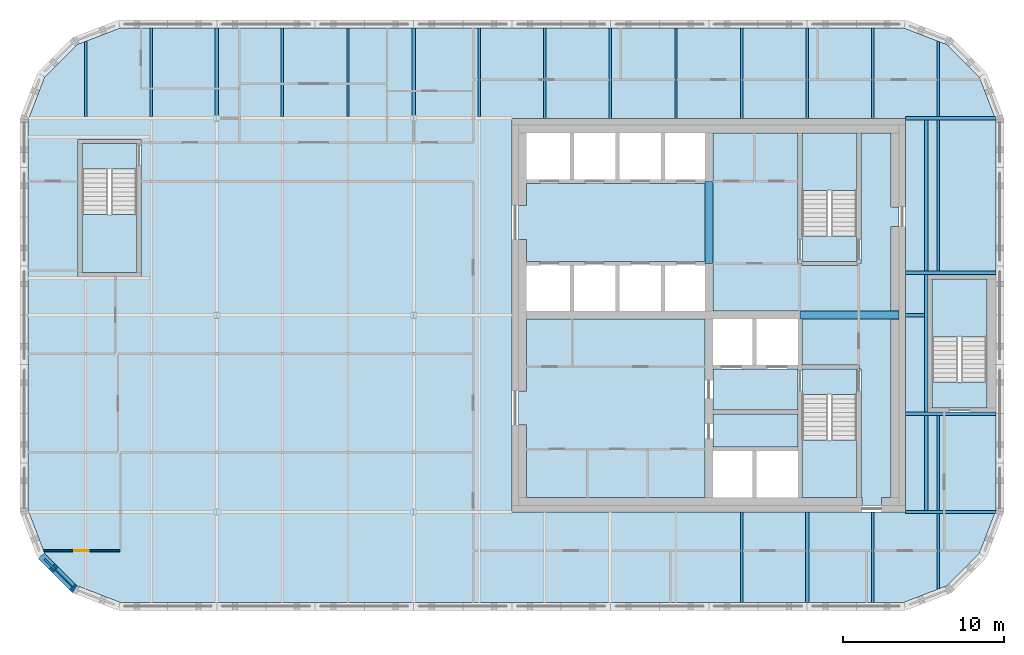
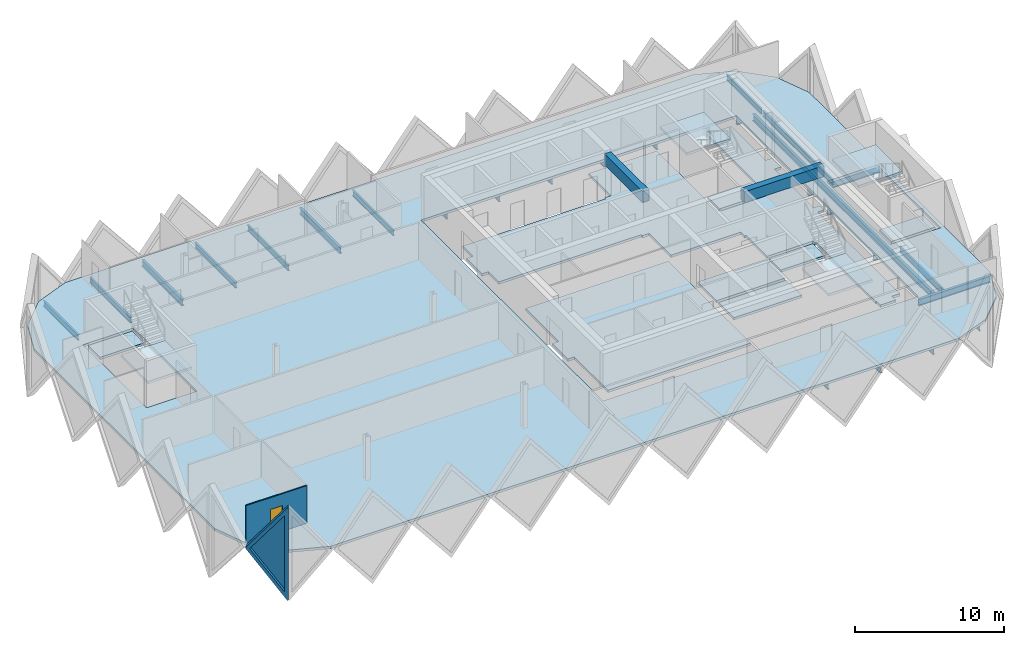
# One storey, part 2 of 11: 28 beams, 13 slabs, 2 walls, 1 door, 1 plate, 2 openings, 4 elements without a shape of their own.
"""IFC4 building model written with IfcOpenShell, lengths in metres."""

from ifc_helpers import new_model, si_unit, direction, frame, frame_2d, origin, origin_2d, place, context, subcontext, project, spatial, polyline, rectangle, i_section, outline, extrude, faceted_brep, source, transform, mapped, material, layer, layer_set, material_profile, profile_set, type_object, element, fill, aggregate, save


model = new_model("IFC4")

# Units and contexts
model_context = context("Model", 3, precision=1e-05, world=origin(), true_north=direction((0.0, 1.0)))
body_context = subcontext(model_context, "Body", "Model", "MODEL_VIEW")
ifc_project = project(units=[si_unit("LENGTHUNIT", "METRE"), si_unit("AREAUNIT", "SQUARE_METRE"), si_unit("VOLUMEUNIT", "CUBIC_METRE"), si_unit("PLANEANGLEUNIT", "RADIAN"), si_unit("MASSUNIT", "GRAM", prefix="KILO")], contexts=[model_context])

# Site, building, storey
site_placement = place(None, origin())
site = spatial("IfcSite", under=ifc_project, at=site_placement, CompositionType="ELEMENT")
building_placement = place(site_placement, origin())
building = spatial("IfcBuilding", under=site, at=building_placement, Name="Tessera Gate Towers", CompositionType="ELEMENT")
storey_placement = place(building_placement, frame((0.0, 0.0, 240.699951171875)))
storey = spatial("IfcBuildingStorey", under=building, at=storey_placement, Name="L60", CompositionType="ELEMENT", Elevation=240.699951171875)

# Beams
ifc_material_1 = material(Name="Concrete C40/50", Category="concrete")
ifc_material_profile_1 = material_profile(ifc_material_1, rectangle(XDim=0.5, YDim=0.89990234375, at=origin_2d()), Name="RC 500x900")
ifc_profile_set_1 = profile_set([ifc_material_profile_1], Name="Concrete C40/50")
beam_type_1 = type_object("IfcBeamType", Name="COUPLING BEAM 500x900 C40/50", PredefinedType="BEAM", material=ifc_profile_set_1)
beam_1_placement = place(storey_placement, frame((48.35009765625, 36.60009765625, 3.150146484375), z_axis=(1.0, 0.0, 0.0), x_axis=(0.0, 1.0, 0.0)))
element("IfcBeam", 1, at=beam_1_placement, inside=storey, type_object=beam_type_1, Name="L60 coupling beam 1", PredefinedType="BEAM", context=body_context, shape_type="SweptSolid", body=[
    extrude(rectangle(XDim=0.5, YDim=0.89990234375, at=origin_2d()), origin(), (0.0, 0.0, 1.0), 6.14990234375),
])
beam_2_placement = place(storey_placement, frame((42.699951171875, 39.800048828125, 3.150146484375), z_axis=(0.0, 1.0, 0.0), x_axis=(-1.0, 0.0, 0.0)))
element("IfcBeam", 2, at=beam_2_placement, inside=storey, type_object=beam_type_1, Name="L60 coupling beam 2", PredefinedType="BEAM", context=body_context, shape_type="SweptSolid", body=[
    extrude(rectangle(XDim=0.5, YDim=0.89990234375, at=origin_2d()), origin(), (0.0, 0.0, 1.0), 5.099853515625),
])
ifc_material_2 = material(Name="Steel 350W", Category="steel")
ifc_material_profile_2 = material_profile(ifc_material_2, i_section(OverallWidth=0.208984375, OverallDepth=0.532958984375, WebThickness=0.01025390625, FlangeThickness=0.015625, at=origin_2d()), Name="W530x92")
ifc_profile_set_2 = profile_set([ifc_material_profile_2], Name="Steel 350W")
beam_type_2 = type_object("IfcBeamType", Name="FLOOR GIRDER W530x92", PredefinedType="BEAM", material=ifc_profile_set_2)
beam_3_placement = place(storey_placement, frame((54.90087890625, 24.39990234375, -0.466552734375), z_axis=(1.0, 0.0, 0.0), x_axis=(0.0, 1.0, 0.0)))
element("IfcBeam", 3, at=beam_3_placement, inside=storey, type_object=beam_type_2, Name="T1-GD-L60-6006", PredefinedType="BEAM", context=body_context, shape_type="SweptSolid", body=[
    extrude(i_section(OverallWidth=0.208984375, OverallDepth=0.532958984375, WebThickness=0.01025390625, FlangeThickness=0.015625, at=origin_2d()), origin(), (0.0, 0.0, 1.0), 5.564208984375),
])
beam_4_placement = place(storey_placement, frame((54.89892578125, 36.60009765625, -0.466552734375), z_axis=(1.0, 0.0, 0.0), x_axis=(0.0, 1.0, 0.0)))
element("IfcBeam", 4, at=beam_4_placement, inside=storey, type_object=beam_type_2, Name="T1-GD-L60-6010", PredefinedType="BEAM", context=body_context, shape_type="SweptSolid", body=[
    extrude(i_section(OverallWidth=0.208984375, OverallDepth=0.532958984375, WebThickness=0.01025390625, FlangeThickness=0.015625, at=origin_2d()), origin(), (0.0, 0.0, 1.0), 1.176513671875),
])
beam_5_placement = place(storey_placement, frame((54.90087890625, 48.800048828125, -0.466552734375), z_axis=(1.0, 0.0, 0.0), x_axis=(0.0, 1.0, 0.0)))
element("IfcBeam", 5, at=beam_5_placement, inside=storey, type_object=beam_type_2, Name="T1-GD-L60-6014", PredefinedType="BEAM", context=body_context, shape_type="SweptSolid", body=[
    extrude(i_section(OverallWidth=0.208984375, OverallDepth=0.532958984375, WebThickness=0.01025390625, FlangeThickness=0.015625, at=origin_2d()), origin(), (0.0, 0.0, 1.0), 5.564208984375),
])
for number, where, z_axis, x_axis, name in (
    (6, (12.199951171875, 48.986572265625, -0.466552734375), (0.0, 1.0, 0.0), (-1.0, 0.0, 0.0), "T1-GD-L60-6018"),
    (7, (24.39990234375, 48.986572265625, -0.466552734375), (0.0, 1.0, 0.0), (-1.0, 0.0, 0.0), "T1-GD-L60-6022"),
):
    element("IfcBeam", number, at=place(storey_placement, frame(where, z_axis=z_axis, x_axis=x_axis)), inside=storey, type_object=beam_type_2, Name=name, PredefinedType="BEAM", context=body_context, shape_type="SweptSolid", body=[
        extrude(i_section(OverallWidth=0.208984375, OverallDepth=0.532958984375, WebThickness=0.01025390625, FlangeThickness=0.015625, at=origin_2d()), origin(), (0.0, 0.0, 1.0), 5.414306640625),
    ])
beam_6_placement = place(storey_placement, frame((48.800048828125, 18.799072265625, -0.466552734375), z_axis=(0.0, 1.0, 0.0), x_axis=(-1.0, 0.0, 0.0)))
element("IfcBeam", 8, at=beam_6_placement, inside=storey, type_object=beam_type_2, Name="T1-GD-L60-6024", PredefinedType="BEAM", context=body_context, shape_type="SweptSolid", body=[
    extrude(i_section(OverallWidth=0.208984375, OverallDepth=0.532958984375, WebThickness=0.01025390625, FlangeThickness=0.015625, at=origin_2d()), origin(), (0.0, 0.0, 1.0), 5.600830078125),
])
for number, where, z_axis, x_axis, name in (
    (9, (54.89892578125, 30.47998046875, -0.466552734375), (1.0, 0.0, 0.0), (0.0, 1.0, 0.0), "T1-GD-L60-6027"),
    (10, (54.89892578125, 39.219970703125, -0.466552734375), (1.0, 0.0, 0.0), (0.0, 1.0, 0.0), "T1-GD-L60-6028"),
):
    element("IfcBeam", number, at=place(storey_placement, frame(where, z_axis=z_axis, x_axis=x_axis)), inside=storey, type_object=beam_type_2, Name=name, PredefinedType="BEAM", context=body_context, shape_type="SweptSolid", body=[
        extrude(i_section(OverallWidth=0.208984375, OverallDepth=0.532958984375, WebThickness=0.01025390625, FlangeThickness=0.015625, at=origin_2d()), origin(), (0.0, 0.0, 1.0), 5.60205078125),
    ])
beam_7_placement = place(storey_placement, frame((56.179931640625, 24.50439453125, -0.466552734375), z_axis=(0.0, 1.0, 0.0), x_axis=(-1.0, 0.0, 0.0)))
element("IfcBeam", 11, at=beam_7_placement, inside=storey, type_object=beam_type_2, Name="T1-GD-L60-6029", PredefinedType="BEAM", context=body_context, shape_type="SweptSolid", body=[
    extrude(i_section(OverallWidth=0.208984375, OverallDepth=0.532958984375, WebThickness=0.01025390625, FlangeThickness=0.015625, at=origin_2d()), origin(), (0.0, 0.0, 1.0), 24.191162109375),
])
ifc_material_3 = material(Name="Steel 350W", Category="steel")
ifc_material_profile_3 = material_profile(ifc_material_3, i_section(OverallWidth=0.153076171875, OverallDepth=0.455078125, WebThickness=0.008056640625, FlangeThickness=0.01318359375, at=origin_2d()), Name="W460x60")
ifc_profile_set_3 = profile_set([ifc_material_profile_3], Name="Steel 350W")
beam_type_3 = type_object("IfcBeamType", Name="FLOOR SECONDARY W460x60", PredefinedType="BEAM", material=ifc_profile_set_3)
beam_8_placement = place(storey_placement, frame((4.066650390625, 48.904541015625, -0.427490234375), z_axis=(0.0, 1.0, 0.0), x_axis=(-1.0, 0.0, 0.0)))
element("IfcBeam", 12, at=beam_8_placement, inside=storey, type_object=beam_type_3, Name="T1-BM-L60-6033", PredefinedType="BEAM", context=body_context, shape_type="SweptSolid", body=[
    extrude(i_section(OverallWidth=0.153076171875, OverallDepth=0.455078125, WebThickness=0.008056640625, FlangeThickness=0.01318359375, at=origin_2d()), origin(), (0.0, 0.0, 1.0), 4.675048828125),
])
for number, where, z_axis, x_axis, name in (
    (13, (8.13330078125, 48.904541015625, -0.427490234375), (0.0, 1.0, 0.0), (-1.0, 0.0, 0.0), "T1-BM-L60-6037"),
    (14, (16.2666015625, 48.904541015625, -0.427490234375), (0.0, 1.0, 0.0), (-1.0, 0.0, 0.0), "T1-BM-L60-6041"),
    (15, (20.333251953125, 48.904541015625, -0.427490234375), (0.0, 1.0, 0.0), (-1.0, 0.0, 0.0), "T1-BM-L60-6045"),
    (16, (28.466796875, 48.904541015625, -0.427490234375), (0.0, 1.0, 0.0), (-1.0, 0.0, 0.0), "T1-BM-L60-6049"),
):
    element("IfcBeam", number, at=place(storey_placement, frame(where, z_axis=z_axis, x_axis=x_axis)), inside=storey, type_object=beam_type_3, Name=name, PredefinedType="BEAM", context=body_context, shape_type="SweptSolid", body=[
        extrude(i_section(OverallWidth=0.153076171875, OverallDepth=0.455078125, WebThickness=0.008056640625, FlangeThickness=0.01318359375, at=origin_2d()), origin(), (0.0, 0.0, 1.0), 5.495361328125),
    ])
for number, where, z_axis, x_axis, name in (
    (17, (32.533203125, 48.800048828125, -0.427490234375), (0.0, 1.0, 0.0), (-1.0, 0.0, 0.0), "T1-BM-L60-6051"),
    (18, (36.60009765625, 48.800048828125, -0.427490234375), (0.0, 1.0, 0.0), (-1.0, 0.0, 0.0), "T1-BM-L60-6052"),
    (19, (40.666748046875, 48.800048828125, -0.427490234375), (0.0, 1.0, 0.0), (-1.0, 0.0, 0.0), "T1-BM-L60-6054"),
    (20, (44.7333984375, 18.800048828125, -0.427490234375), (0.0, 1.0, 0.0), (-1.0, 0.0, 0.0), "T1-BM-L60-6055"),
    (21, (44.7333984375, 48.800048828125, -0.427490234375), (0.0, 1.0, 0.0), (-1.0, 0.0, 0.0), "T1-BM-L60-6056"),
    (22, (48.800048828125, 48.800048828125, -0.427490234375), (0.0, 1.0, 0.0), (-1.0, 0.0, 0.0), "T1-BM-L60-6057"),
    (23, (52.86669921875, 18.800048828125, -0.427490234375), (0.0, 1.0, 0.0), (-1.0, 0.0, 0.0), "T1-BM-L60-6058"),
    (24, (52.86669921875, 48.800048828125, -0.427490234375), (0.0, 1.0, 0.0), (-1.0, 0.0, 0.0), "T1-BM-L60-6059"),
):
    element("IfcBeam", number, at=place(storey_placement, frame(where, z_axis=z_axis, x_axis=x_axis)), inside=storey, type_object=beam_type_3, Name=name, PredefinedType="BEAM", context=body_context, shape_type="SweptSolid", body=[
        extrude(i_section(OverallWidth=0.153076171875, OverallDepth=0.455078125, WebThickness=0.008056640625, FlangeThickness=0.01318359375, at=origin_2d()), origin(), (0.0, 0.0, 1.0), 5.599853515625),
    ])
beam_9_placement = place(storey_placement, frame((56.933349609375, 19.620361328125, -0.427490234375), z_axis=(0.0, 1.0, 0.0), x_axis=(-1.0, 0.0, 0.0)))
element("IfcBeam", 25, at=beam_9_placement, inside=storey, type_object=beam_type_3, Name="T1-BM-L60-6060", PredefinedType="BEAM", context=body_context, shape_type="SweptSolid", body=[
    extrude(i_section(OverallWidth=0.153076171875, OverallDepth=0.455078125, WebThickness=0.008056640625, FlangeThickness=0.01318359375, at=origin_2d()), origin(), (0.0, 0.0, 1.0), 4.675048828125),
])
beam_10_placement = place(storey_placement, frame((56.933349609375, 24.50439453125, -0.427490234375), z_axis=(0.0, 1.0, 0.0), x_axis=(-1.0, 0.0, 0.0)))
element("IfcBeam", 26, at=beam_10_placement, inside=storey, type_object=beam_type_3, Name="T1-BM-L60-6061", PredefinedType="BEAM", context=body_context, shape_type="SweptSolid", body=[
    extrude(i_section(OverallWidth=0.153076171875, OverallDepth=0.455078125, WebThickness=0.008056640625, FlangeThickness=0.01318359375, at=origin_2d()), origin(), (0.0, 0.0, 1.0), 5.87109375),
])
beam_11_placement = place(storey_placement, frame((56.933349609375, 39.324462890625, -0.427490234375), z_axis=(0.0, 1.0, 0.0), x_axis=(-1.0, 0.0, 0.0)))
element("IfcBeam", 27, at=beam_11_placement, inside=storey, type_object=beam_type_3, Name="T1-BM-L60-6062", PredefinedType="BEAM", context=body_context, shape_type="SweptSolid", body=[
    extrude(i_section(OverallWidth=0.153076171875, OverallDepth=0.455078125, WebThickness=0.008056640625, FlangeThickness=0.01318359375, at=origin_2d()), origin(), (0.0, 0.0, 1.0), 9.37109375),
])
beam_12_placement = place(storey_placement, frame((56.933349609375, 48.904541015625, -0.427490234375), z_axis=(0.0, 1.0, 0.0), x_axis=(-1.0, 0.0, 0.0)))
element("IfcBeam", 28, at=beam_12_placement, inside=storey, type_object=beam_type_3, Name="T1-BM-L60-6063", PredefinedType="BEAM", context=body_context, shape_type="SweptSolid", body=[
    extrude(i_section(OverallWidth=0.153076171875, OverallDepth=0.455078125, WebThickness=0.008056640625, FlangeThickness=0.01318359375, at=origin_2d()), origin(), (0.0, 0.0, 1.0), 4.675048828125),
])

# Slabs
ifc_material_4 = material(Name="Concrete C35/45", Category="concrete")
ifc_layer_1 = layer(ifc_material_4, 0.199951171875)
ifc_layer_set_1 = layer_set([ifc_layer_1], Name="COMPOSITE FLOOR 200")
slab_type_1 = type_object("IfcSlabType", Name="COMPOSITE FLOOR 200", PredefinedType="FLOOR", material=ifc_layer_set_1)
slab_1_placement = place(storey_placement, frame((0.0, 0.0, -0.199951171875)))
element("IfcSlab", 29, at=slab_1_placement, inside=storey, type_object=slab_type_1, Name="T1-L60", PredefinedType="FLOOR", context=body_context, shape_type="SweptSolid", body=[
    extrude(outline(polyline([(0.5, 24.4931640625), (1.526123046875, 21.8330078125), (3.533203125, 19.826171875), (6.193115234375, 18.800048828125), (54.806884765625, 18.800048828125), (57.466796875, 19.826171875), (59.473876953125, 21.8330078125), (60.5, 24.4931640625), (60.5, 48.706787109375), (59.473876953125, 51.366943359375), (57.466796875, 53.373779296875), (54.806884765625, 54.39990234375), (6.193115234375, 54.39990234375), (3.533203125, 53.373779296875), (1.526123046875, 51.366943359375), (0.5, 48.706787109375), (0.5, 24.4931640625)]), holes=[polyline([(3.60009765625, 39.0), (3.60009765625, 47.5), (7.5, 47.5), (7.5, 39.0), (3.60009765625, 39.0)]), polyline([(30.5, 24.39990234375), (30.5, 48.800048828125), (54.89990234375, 48.800048828125), (54.89990234375, 24.39990234375), (30.5, 24.39990234375)]), polyline([(56.300048828125, 30.60009765625), (56.300048828125, 39.10009765625), (60.199951171875, 39.10009765625), (60.199951171875, 30.60009765625), (56.300048828125, 30.60009765625)])]), origin(), (0.0, 0.0, 1.0), 0.199951171875),
])
ifc_material_5 = material(Name="Concrete C35/45", Category="concrete")
ifc_layer_2 = layer(ifc_material_5, 0.199951171875)
ifc_layer_set_2 = layer_set([ifc_layer_2], Name="CORE FLOOR SLAB 200")
slab_type_2 = type_object("IfcSlabType", Name="CORE FLOOR SLAB 200", PredefinedType="FLOOR", material=ifc_layer_set_2)
slab_2_placement = place(storey_placement, frame((0.0, 0.0, -0.199951171875)))
element("IfcSlab", 30, at=slab_2_placement, inside=storey, type_object=slab_type_2, Name="L60 core floor slab", PredefinedType="FLOOR", context=body_context, shape_type="SweptSolid", body=[
    extrude(outline(polyline([(42.449951171875, 44.89990234375), (42.449951171875, 44.77490234375), (31.39990234375, 44.77490234375), (31.39990234375, 43.39990234375), (30.89990234375, 43.39990234375), (30.89990234375, 41.300048828125), (31.39990234375, 41.300048828125), (31.39990234375, 39.925048828125), (42.449951171875, 39.925048828125), (42.449951171875, 39.800048828125), (42.949951171875, 39.800048828125), (42.949951171875, 36.85009765625), (48.35009765625, 36.85009765625), (48.35009765625, 36.35009765625), (48.47509765625, 36.35009765625), (48.47509765625, 33.52490234375), (52.0, 33.52490234375), (52.0, 33.27490234375), (52.125, 33.27490234375), (52.125, 25.300048828125), (52.199951171875, 25.300048828125), (52.199951171875, 24.800048828125), (53.39990234375, 24.800048828125), (53.39990234375, 25.300048828125), (54.0, 25.300048828125), (54.0, 36.320068359375), (54.5, 36.320068359375), (54.5, 36.8798828125), (54.0, 36.8798828125), (54.0, 42.10009765625), (54.5, 42.10009765625), (54.5, 43.300048828125), (54.0, 43.300048828125), (54.0, 47.89990234375), (52.125, 47.89990234375), (52.125, 39.800048828125), (51.875, 39.800048828125), (51.875, 39.675048828125), (48.47509765625, 39.675048828125), (48.47509765625, 39.800048828125), (48.22509765625, 39.800048828125), (48.22509765625, 47.89990234375), (42.949951171875, 47.89990234375), (42.949951171875, 44.89990234375), (42.449951171875, 44.89990234375)])), origin(), (0.0, 0.0, 1.0), 0.199951171875),
])
slab_3_placement = place(storey_placement, frame((0.0, 0.0, -0.199951171875)))
element("IfcSlab", 31, at=slab_3_placement, inside=storey, type_object=slab_type_2, Name="L60 core floor slab", PredefinedType="FLOOR", context=body_context, shape_type="SweptSolid", body=[
    extrude(outline(polyline([(31.39990234375, 36.35009765625), (31.39990234375, 31.89990234375), (30.89990234375, 31.89990234375), (30.89990234375, 29.800048828125), (31.39990234375, 29.800048828125), (31.39990234375, 25.300048828125), (42.449951171875, 25.300048828125), (42.449951171875, 36.35009765625), (31.39990234375, 36.35009765625)])), origin(), (0.0, 0.0, 1.0), 0.199951171875),
])
slab_4_placement = place(storey_placement, frame((0.0, 0.0, -0.199951171875)))
element("IfcSlab", 32, at=slab_4_placement, inside=storey, type_object=slab_type_2, Name="L60 core floor slab", PredefinedType="FLOOR", context=body_context, shape_type="SweptSolid", body=[
    extrude(outline(polyline([(42.949951171875, 33.27490234375), (42.949951171875, 30.72509765625), (48.22509765625, 30.72509765625), (48.22509765625, 33.27490234375), (42.949951171875, 33.27490234375)])), origin(), (0.0, 0.0, 1.0), 0.199951171875),
])
slab_5_placement = place(storey_placement, frame((0.0, 0.0, -0.199951171875)))
element("IfcSlab", 33, at=slab_5_placement, inside=storey, type_object=slab_type_2, Name="L60 core floor slab", PredefinedType="FLOOR", context=body_context, shape_type="SweptSolid", body=[
    extrude(outline(polyline([(48.22509765625, 30.47509765625), (42.949951171875, 30.47509765625), (42.949951171875, 28.425048828125), (48.22509765625, 28.425048828125), (48.22509765625, 30.47509765625)])), origin(), (0.0, 0.0, 1.0), 0.199951171875),
])
slab_6_placement = place(storey_placement, frame((0.0, 0.0, -0.199951171875)))
element("IfcSlab", 34, at=slab_6_placement, inside=storey, type_object=slab_type_2, Name="L60 core floor slab", PredefinedType="FLOOR", context=body_context, shape_type="SweptSolid", body=[
    extrude(outline(polyline([(51.875, 31.675048828125), (51.875, 33.27490234375), (48.47509765625, 33.27490234375), (48.47509765625, 31.675048828125), (51.875, 31.675048828125)])), origin(), (0.0, 0.0, 1.0), 0.199951171875),
])
slab_7_placement = place(storey_placement, frame((0.0, 0.0, -0.199951171875)))
element("IfcSlab", 35, at=slab_7_placement, inside=storey, type_object=slab_type_2, Name="L60 core floor slab", PredefinedType="FLOOR", context=body_context, shape_type="SweptSolid", body=[
    extrude(outline(polyline([(48.47509765625, 41.52490234375), (48.47509765625, 39.925048828125), (51.875, 39.925048828125), (51.875, 41.52490234375), (48.47509765625, 41.52490234375)])), origin(), (0.0, 0.0, 1.0), 0.199951171875),
])
slab_8_placement = place(storey_placement, frame((0.0, 0.0, -0.199951171875)))
element("IfcSlab", 36, at=slab_8_placement, inside=storey, type_object=slab_type_2, Name="L60 ST3 floor landing", PredefinedType="FLOOR", context=body_context, shape_type="SweptSolid", body=[
    extrude(outline(polyline([(3.85009765625, 47.25), (3.85009765625, 45.64990234375), (7.25, 45.64990234375), (7.25, 47.25), (3.85009765625, 47.25)])), origin(), (0.0, 0.0, 1.0), 0.199951171875),
])
slab_9_placement = place(storey_placement, frame((0.0, 0.0, -0.199951171875)))
element("IfcSlab", 37, at=slab_9_placement, inside=storey, type_object=slab_type_2, Name="L60 ST5 floor landing", PredefinedType="FLOOR", context=body_context, shape_type="SweptSolid", body=[
    extrude(outline(polyline([(59.949951171875, 30.85009765625), (59.949951171875, 32.449951171875), (56.550048828125, 32.449951171875), (56.550048828125, 30.85009765625), (59.949951171875, 30.85009765625)])), origin(), (0.0, 0.0, 1.0), 0.199951171875),
])

# Stair, slab
ifc_material_6 = material(Name="Concrete C40/50", Category="concrete")
stair_type_1 = type_object("IfcStairType", Name="EXIT STAIR ST1 1600", PredefinedType="HALF_TURN_STAIR", material=ifc_material_6)
stair_1_placement = place(storey_placement, origin())
stair_1 = element("IfcStair", 38, at=stair_1_placement, inside=storey, type_object=stair_type_1, Name="L60 Protected Exit Stair ST1", PredefinedType="HALF_TURN_STAIR")
ifc_material_7 = material(Name="Concrete C40/50", Category="concrete")
ifc_layer_3 = layer(ifc_material_7, 0.199951171875)
ifc_layer_set_3 = layer_set([ifc_layer_3], Name="EXIT STAIR LANDING 200")
slab_type_3 = type_object("IfcSlabType", Name="EXIT STAIR LANDING 200", PredefinedType="LANDING", material=ifc_layer_set_3)
slab_10_placement = place(storey_placement, frame((0.0, 0.0, 1.699951171875)))
slab_10 = element("IfcSlab", 39, at=slab_10_placement, type_object=slab_type_3, Name="ST1 landing 1", PredefinedType="LANDING", context=body_context, shape_type="SweptSolid", body=[
    extrude(outline(polyline([(48.47509765625, 28.875), (48.47509765625, 25.300048828125), (51.875, 25.300048828125), (51.875, 28.875), (48.47509765625, 28.875)])), origin(), (0.0, 0.0, 1.0), 0.2001953125),
])
aggregate(stair_1, [slab_10])

ifc_material_8 = material(Name="Concrete C40/50", Category="concrete")
stair_type_2 = type_object("IfcStairType", Name="EXIT STAIR ST2 1600", PredefinedType="HALF_TURN_STAIR", material=ifc_material_8)
stair_2_placement = place(storey_placement, origin())
stair_2 = element("IfcStair", 40, at=stair_2_placement, inside=storey, type_object=stair_type_2, Name="L60 Protected Exit Stair ST2", PredefinedType="HALF_TURN_STAIR")
slab_11_placement = place(storey_placement, frame((0.0, 0.0, 1.699951171875)))
slab_11 = element("IfcSlab", 41, at=slab_11_placement, type_object=slab_type_3, Name="ST2 landing 1", PredefinedType="LANDING", context=body_context, shape_type="SweptSolid", body=[
    extrude(outline(polyline([(51.875, 44.324951171875), (51.875, 47.89990234375), (48.47509765625, 47.89990234375), (48.47509765625, 44.324951171875), (51.875, 44.324951171875)])), origin(), (0.0, 0.0, 1.0), 0.2001953125),
])
aggregate(stair_2, [slab_11])

ifc_material_9 = material(Name="Concrete C40/50", Category="concrete")
stair_type_3 = type_object("IfcStairType", Name="EXIT STAIR ST3 1600", PredefinedType="HALF_TURN_STAIR", material=ifc_material_9)
stair_3_placement = place(storey_placement, origin())
stair_3 = element("IfcStair", 42, at=stair_3_placement, inside=storey, type_object=stair_type_3, Name="L60 West Exit Stair ST3", PredefinedType="HALF_TURN_STAIR")
slab_12_placement = place(storey_placement, frame((0.0, 0.0, 1.699951171875)))
slab_12 = element("IfcSlab", 43, at=slab_12_placement, type_object=slab_type_3, Name="ST3 landing 1", PredefinedType="LANDING", context=body_context, shape_type="SweptSolid", body=[
    extrude(outline(polyline([(3.85009765625, 42.85009765625), (3.85009765625, 39.25), (7.25, 39.25), (7.25, 42.85009765625), (3.85009765625, 42.85009765625)])), origin(), (0.0, 0.0, 1.0), 0.2001953125),
])
aggregate(stair_3, [slab_12])

ifc_material_10 = material(Name="Concrete C40/50", Category="concrete")
stair_type_4 = type_object("IfcStairType", Name="EXIT STAIR ST5 1600", PredefinedType="HALF_TURN_STAIR", material=ifc_material_10)
stair_4_placement = place(storey_placement, origin())
stair_4 = element("IfcStair", 44, at=stair_4_placement, inside=storey, type_object=stair_type_4, Name="L60 East Exit Stair ST5", PredefinedType="HALF_TURN_STAIR")
slab_13_placement = place(storey_placement, frame((0.0, 0.0, 1.699951171875)))
slab_13 = element("IfcSlab", 45, at=slab_13_placement, type_object=slab_type_3, Name="ST5 landing 1", PredefinedType="LANDING", context=body_context, shape_type="SweptSolid", body=[
    extrude(outline(polyline([(59.949951171875, 35.25), (59.949951171875, 38.85009765625), (56.550048828125, 38.85009765625), (56.550048828125, 35.25), (59.949951171875, 35.25)])), origin(), (0.0, 0.0, 1.0), 0.2001953125),
])
aggregate(stair_4, [slab_13])

# Wall, opening, door
ifc_material_11 = material(Name="Glass", Category="glass")
ifc_layer_4 = layer(ifc_material_11, 0.10009765625)
ifc_layer_set_4 = layer_set([ifc_layer_4], Name="GLAZED PARTITION 100")
wall_type_1 = type_object("IfcWallType", Name="GLAZED PARTITION 100", PredefinedType="PARTITIONING", material=ifc_layer_set_4)
wall_1_placement = place(storey_placement, frame((1.461669921875, 22.0, 0.0), z_axis=(0.0, 0.0, 1.0), x_axis=(1.0, 0.0, 0.0)))
wall_1 = element("IfcWall", 46, at=wall_1_placement, inside=storey, type_object=wall_type_1, Name="T1-L60-PW-004", PredefinedType="PARTITIONING", context=body_context, shape_type="SweptSolid", body=[
    extrude(rectangle(XDim=4.71240234375, YDim=0.10009765625, at=frame_2d((2.356201171875, 0.0))), origin(), (0.0, 0.0, 1.0), 3.067138671875),
])
shared_shape_1 = source(origin(), body_context, "Body", "SweptSolid", [
    extrude(rectangle(XDim=0.89990234375, YDim=2.10009765625, at=frame_2d((0.449951171875, 1.050048828125))), frame((0.0, 0.06005859375, 0.0), z_axis=(0.0, -1.0, 0.0), x_axis=(1.0, 0.0, 0.0)), (0.0, 0.0, 1.0), 0.1201171875),
])
opening_1_placement = place(wall_1_placement, frame((1.89990234375, 0.0, 0.0)))
opening_1 = element("IfcOpeningElement", 47, at=opening_1_placement, cuts=wall_1, Name="Opening D690-A21-06", PredefinedType="OPENING", context=body_context, shape_type="MappedRepresentation", body=[
    mapped(shared_shape_1, transform((0.0, 0.0, 0.0), scale=1.0)),
])
ifc_material_12 = material(Name="Glass in aluminium frame", Category="aluminium")
door_type = type_object("IfcDoorType", Name="GLAZED DOOR 900 NOT RATED", OperationType="NOTDEFINED", PredefinedType="DOOR", material=ifc_material_12)
shared_shape_2 = source(origin(), body_context, "Body", "SweptSolid", [
    extrude(rectangle(XDim=0.89990234375, YDim=2.10009765625, at=frame_2d((0.449951171875, 1.050048828125))), frame((0.0, 0.02490234375, 0.0), z_axis=(0.0, -1.0, 0.0), x_axis=(1.0, 0.0, 0.0)), (0.0, 0.0, 1.0), 0.050048828125),
])
door_placement = place(opening_1_placement, origin())
door = element("IfcDoor", 48, at=door_placement, inside=storey, type_object=door_type, Name="T1-L60-PD-017", OperationType="SINGLE_SWING_LEFT", OverallHeight=2.10009765625, OverallWidth=0.89990234375, PredefinedType="DOOR", context=body_context, shape_type="MappedRepresentation", body=[
    mapped(shared_shape_2, transform((0.0, 0.0, 0.0), scale=1.0)),
])
fill(opening_1, door)

# Wall, opening, plate
ifc_material_13 = material(Name="Precast concrete C60/75 white", Category="concrete")
ifc_layer_5 = layer(ifc_material_13, 0.5)
ifc_layer_set_5 = layer_set([ifc_layer_5], Name="TS3 corner tessera")
wall_type_2 = type_object("IfcWallType", Name="TS3 corner tessera", PredefinedType="SOLIDWALL", material=ifc_layer_set_5)
shared_shape_3 = source(origin(), body_context, "Body", "Brep", [
    faceted_brep([(2.944091796875, -0.25, 0.0), (2.9970703125, -0.25, 0.068115234375), (2.9970703125, -0.25, 7.531982421875), (2.944091796875, -0.25, 7.60009765625), (0.0, -0.25, 3.800048828125), (0.052978515625, 0.25, 3.868408203125), (2.89111328125, 0.25, 7.531982421875), (2.89111328125, 0.25, 0.068115234375), (0.052978515625, 0.25, 3.731689453125), (2.944091796875, 0.000244140625, 0.0), (2.944091796875, 0.000244140625, 7.60009765625), (0.0, 0.0, 3.800048828125)], [[[0, 1, 2, 3, 4]], [[5, 6, 7, 8]], [[1, 0, 9]], [[10, 3, 2]], [[6, 5, 11, 4, 3, 10]], [[8, 7, 9, 0, 4, 11]], [[8, 11, 5]], [[1, 9, 7, 6, 10, 2]]]),
])
wall_2_placement = place(storey_placement, frame((1.31201171875, 21.69384765625, -3.800048828125), z_axis=(0.0, 0.0, 1.0), x_axis=(0.707066050402, -0.707147509625, 0.0)))
wall_2 = element("IfcWall", 49, at=wall_2_placement, inside=storey, type_object=wall_type_2, Name="Precast corner tessera T1 TS3-1399", PredefinedType="SOLIDWALL", context=body_context, shape_type="MappedRepresentation", body=[
    mapped(shared_shape_3, transform((0.0, 0.0, 0.0), scale=1.0)),
])
shared_shape_4 = source(origin(), body_context, "Body", "SweptSolid", [
    extrude(outline(polyline([(2.744140625, 6.933837890625), (0.316162109375, 3.800048828125), (2.744140625, 0.66650390625), (2.744140625, 6.933837890625)])), frame((0.0, 0.260009765625, 0.0), z_axis=(0.0, -1.0, 0.0), x_axis=(1.0, 0.0, 0.0)), (0.0, 0.0, 1.0), 0.52001953125),
])
opening_2_placement = place(wall_2_placement, origin())
opening_2 = element("IfcOpeningElement", 50, at=opening_2_placement, cuts=wall_2, Name="Opening T1-PL2-2155", PredefinedType="OPENING", context=body_context, shape_type="MappedRepresentation", body=[
    mapped(shared_shape_4, transform((0.0, 0.0, 0.0), scale=1.0)),
])
ifc_material_14 = material(Name="Low-e laminated glass", Category="glass")
ifc_layer_6 = layer(ifc_material_14, 0.06005859375)
ifc_layer_set_6 = layer_set([ifc_layer_6], Name="PL2 rhombic pane")
plate_type = type_object("IfcPlateType", Name="PL2 rhombic pane", PredefinedType="SHEET", material=ifc_layer_set_6)
shared_shape_5 = source(origin(), body_context, "Body", "SweptSolid", [
    extrude(outline(polyline([(2.744140625, 6.933837890625), (0.316162109375, 3.800048828125), (2.744140625, 0.66650390625), (2.744140625, 6.933837890625)])), frame((0.0, 0.030029296875, 0.0), z_axis=(0.0, -1.0, 0.0), x_axis=(1.0, 0.0, 0.0)), (0.0, 0.0, 1.0), 0.06005859375),
])
plate_placement = place(opening_2_placement, origin())
plate = element("IfcPlate", 51, at=plate_placement, inside=storey, type_object=plate_type, Name="Glass pane T1 PL2-2155", PredefinedType="SHEET", context=body_context, shape_type="MappedRepresentation", body=[
    mapped(shared_shape_5, transform((0.0, 0.0, 0.0), scale=1.0)),
])
fill(opening_2, plate)

save(model, "model.ifc")
